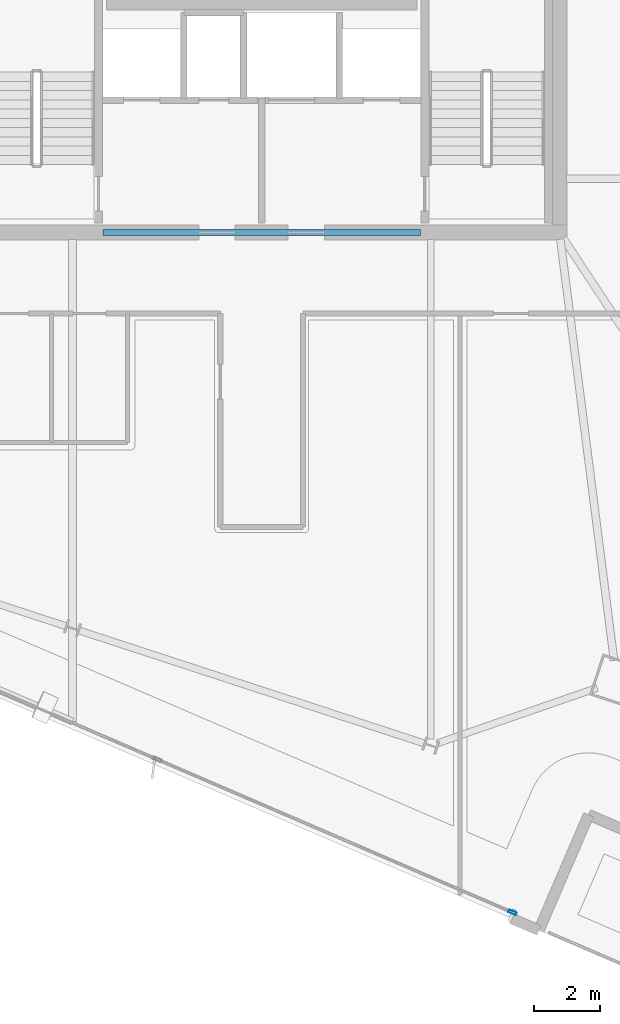
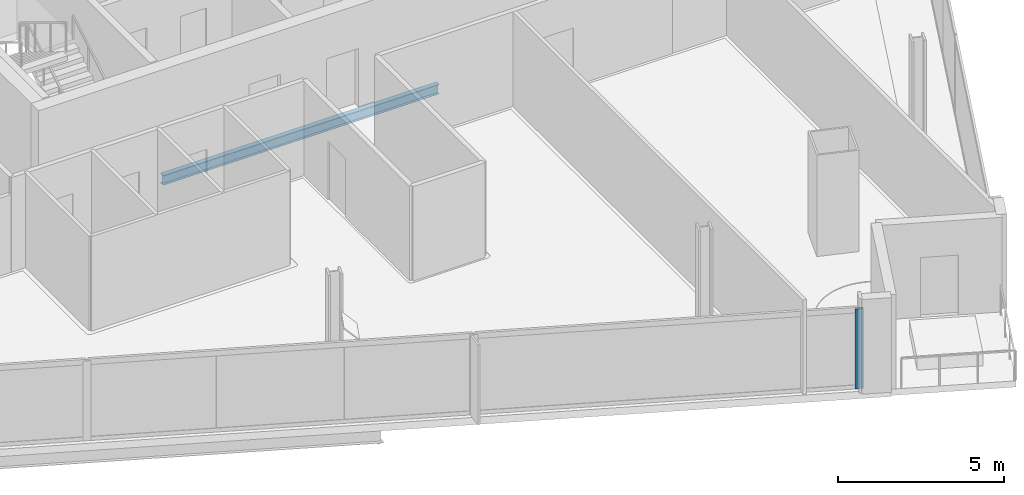
# One storey, part 7 of 28: 1 beam, 1 member, 1 element without a shape of its own.
"""IFC4 building model written with IfcOpenShell, lengths in metres."""

from ifc_helpers import new_model, si_unit, direction, frame, origin, origin_2d, place, context, subcontext, project, spatial, hollow_rectangle, i_section, extrude, material, material_profile, profile_set, type_object, element, aggregate, save


model = new_model("IFC4")

# Units and contexts
model_context = context("Model", 3, precision=1e-05, world=origin(), true_north=direction((0.0, 1.0)))
body_context = subcontext(model_context, "Body", "Model", "MODEL_VIEW")
ifc_project = project(units=[si_unit("LENGTHUNIT", "METRE"), si_unit("AREAUNIT", "SQUARE_METRE"), si_unit("VOLUMEUNIT", "CUBIC_METRE"), si_unit("PLANEANGLEUNIT", "RADIAN"), si_unit("MASSUNIT", "GRAM", prefix="KILO")], contexts=[model_context])

# Site, building, storey
site_placement = place(None, origin())
site = spatial("IfcSite", under=ifc_project, at=site_placement, CompositionType="ELEMENT")
building_placement = place(site_placement, origin())
building = spatial("IfcBuilding", under=site, at=building_placement, Name="Haldenkirk Collegiate Tower", CompositionType="ELEMENT")
storey_placement = place(building_placement, frame((0.0, 0.0, 252.449951171875)))
storey = spatial("IfcBuildingStorey", under=building, at=storey_placement, Name="L63", CompositionType="ELEMENT", Elevation=252.449951171875)

# Beam
ifc_material_1 = material(Name="Steel ASTM A992 Grade 50", Category="steel")
ifc_material_profile_1 = material_profile(ifc_material_1, i_section(OverallWidth=0.1708984375, OverallDepth=0.35595703125, WebThickness=0.007080078125, FlangeThickness=0.01171875, at=origin_2d()), Name="W14X34")
ifc_profile_set_1 = profile_set([ifc_material_profile_1], Name="Steel ASTM A992 Grade 50")
beam_type = type_object("IfcBeamType", Name="BM-LINTEL-W14X34", PredefinedType="LINTEL", material=ifc_profile_set_1)
beam_placement = place(storey_placement, frame((31.199951171875, 18.0, -0.447998046875), z_axis=(1.0, 0.0, 0.0), x_axis=(0.0, 1.0, 0.0)))
element("IfcBeam", 1, at=beam_placement, inside=storey, type_object=beam_type, Name="L63 south core coupling lintel", PredefinedType="LINTEL", context=body_context, shape_type="SweptSolid", body=[
    extrude(i_section(OverallWidth=0.1708984375, OverallDepth=0.35595703125, WebThickness=0.007080078125, FlangeThickness=0.01171875, at=origin_2d()), origin(), (0.0, 0.0, 1.0), 9.60009765625),
])

# Curtain wall, member
ifc_material_2 = material(Name="Anodised architectural bronze aluminium", Category="aluminium")
curtain_wall_type = type_object("IfcCurtainWallType", Name="CW-SYS1B-CONVEX-HI", PredefinedType="USERDEFINED", material=ifc_material_2)
curtain_wall_placement = place(storey_placement, origin())
curtain_wall = element("IfcCurtainWall", 2, at=curtain_wall_placement, inside=storey, type_object=curtain_wall_type, Name="L63 Upper tower high-wind convex bronze unitised curtain wall", ObjectType="UNITISED CURTAIN WALL", PredefinedType="USERDEFINED")
ifc_material_profile_2 = material_profile(ifc_material_2, hollow_rectangle(XDim=0.0849609375, YDim=0.25, WallThickness=0.0048828125, at=origin_2d()), Name="CW-MUL-1B")
ifc_profile_set_2 = profile_set([ifc_material_profile_2], Name="Anodised architectural bronze aluminium")
member_type = type_object("IfcMemberType", Name="CW-MUL-1B", PredefinedType="MULLION", material=ifc_profile_set_2)
member_placement = place(storey_placement, frame((43.583984375, -2.548095703125, 0.0), z_axis=(0.0, 0.0, 1.0), x_axis=(-0.395545592347, -0.918446342676, 0.0)))
member = element("IfcMember", 3, at=member_placement, type_object=member_type, Name="CW-1B mullion 1", PredefinedType="MULLION", context=body_context, shape_type="SweptSolid", body=[
    extrude(hollow_rectangle(XDim=0.0849609375, YDim=0.25, WallThickness=0.0048828125, at=origin_2d()), origin(), (0.0, 0.0, 1.0), 2.93798828125),
])
aggregate(curtain_wall, [member])

save(model, "model.ifc")
